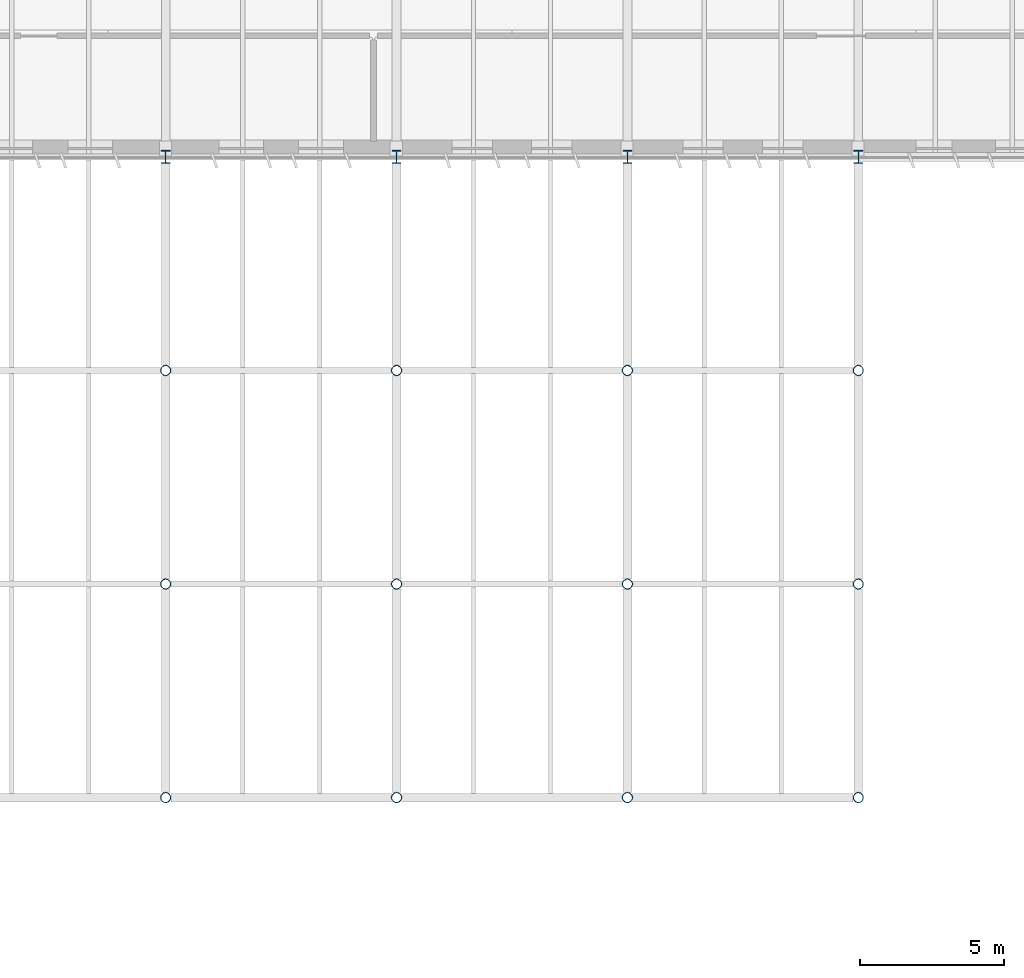
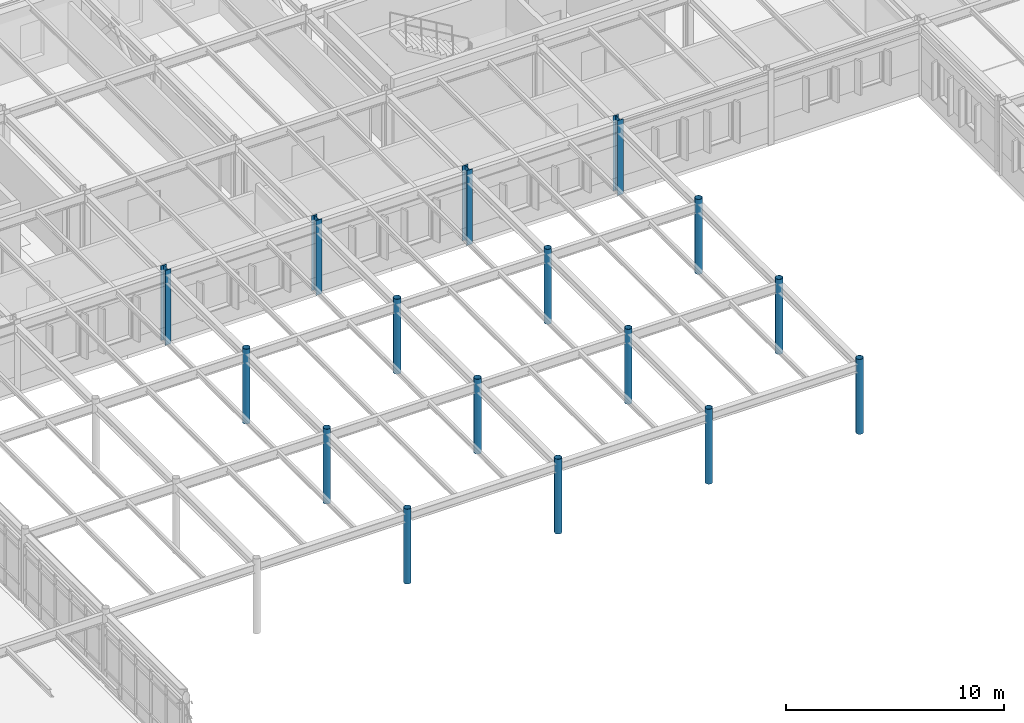
# One storey, part 5 of 63: 16 columns.
"""IFC4 building model written with IfcOpenShell, lengths in metres."""

from ifc_helpers import new_model, si_unit, direction, frame, origin, origin_2d, place, context, subcontext, project, spatial, hollow_circle, i_section, extrude, material, material_profile, profile_set, type_object, element, save


model = new_model("IFC4")

# Units and contexts
model_context = context("Model", 3, precision=1e-05, world=origin(), true_north=direction((0.0, 1.0)))
body_context = subcontext(model_context, "Body", "Model", "MODEL_VIEW")
ifc_project = project(units=[si_unit("LENGTHUNIT", "METRE"), si_unit("AREAUNIT", "SQUARE_METRE"), si_unit("VOLUMEUNIT", "CUBIC_METRE"), si_unit("PLANEANGLEUNIT", "RADIAN"), si_unit("MASSUNIT", "GRAM", prefix="KILO")], contexts=[model_context])

# Site, building, storey
site_placement = place(None, origin())
site = spatial("IfcSite", under=ifc_project, at=site_placement, CompositionType="ELEMENT")
building_placement = place(site_placement, origin())
building = spatial("IfcBuilding", under=site, at=building_placement, Name="Valkorina Park Police Headquarters", CompositionType="ELEMENT")
storey_placement = place(building_placement, frame((0.0, 0.0, 9.89990234375)))
storey = spatial("IfcBuildingStorey", under=building, at=storey_placement, Name="L03", CompositionType="ELEMENT", Elevation=9.89990234375)

# Columns
ifc_material = material(Name="Steel S355", Category="steel")
ifc_material_profile_1 = material_profile(ifc_material, hollow_circle(Radius=0.177734375, WallThickness=0.01611328125, at=origin_2d()), Name="CHS 355.6x16")
ifc_profile_set_1 = profile_set([ifc_material_profile_1], Name="Steel S355")
column_type_1 = type_object("IfcColumnType", Name="COL-S355-CHS355-EXT", PredefinedType="COLUMN", material=ifc_profile_set_1)
for number, where, z_axis, x_axis, name in (
    (1, (96.800048828125, 37.0, 0.0), (0.0, 0.0, 1.0), (1.0, 0.0, 0.0), "L03 Column 0788"),
    (2, (96.800048828125, 44.39990234375, 0.0), (0.0, 0.0, 1.0), (1.0, 0.0, 0.0), "L03 Column 0789"),
    (3, (96.800048828125, 51.800048828125, 0.0), (0.0, 0.0, 1.0), (1.0, 0.0, 0.0), "L03 Column 0790"),
    (4, (104.800048828125, 37.0, 0.0), (0.0, 0.0, 1.0), (1.0, 0.0, 0.0), "L03 Column 0795"),
    (5, (104.800048828125, 44.39990234375, 0.0), (0.0, 0.0, 1.0), (1.0, 0.0, 0.0), "L03 Column 0796"),
    (6, (104.800048828125, 51.800048828125, 0.0), (0.0, 0.0, 1.0), (1.0, 0.0, 0.0), "L03 Column 0797"),
    (7, (112.800048828125, 37.0, 0.0), (0.0, 0.0, 1.0), (1.0, 0.0, 0.0), "L03 Column 0802"),
    (8, (112.800048828125, 44.39990234375, 0.0), (0.0, 0.0, 1.0), (1.0, 0.0, 0.0), "L03 Column 0803"),
    (9, (112.800048828125, 51.800048828125, 0.0), (0.0, 0.0, 1.0), (1.0, 0.0, 0.0), "L03 Column 0804"),
    (10, (120.800048828125, 37.0, 0.0), (0.0, 0.0, 1.0), (1.0, 0.0, 0.0), "L03 Column 0809"),
    (11, (120.800048828125, 44.39990234375, 0.0), (0.0, 0.0, 1.0), (1.0, 0.0, 0.0), "L03 Column 0810"),
    (12, (120.800048828125, 51.800048828125, 0.0), (0.0, 0.0, 1.0), (1.0, 0.0, 0.0), "L03 Column 0811"),
):
    element("IfcColumn", number, at=place(storey_placement, frame(where, z_axis=z_axis, x_axis=x_axis)), inside=storey, type_object=column_type_1, Name=name, PredefinedType="COLUMN", context=body_context, shape_type="SweptSolid", body=[
        extrude(hollow_circle(Radius=0.177734375, WallThickness=0.01611328125, at=origin_2d()), origin(), (0.0, 0.0, 1.0), 4.2001953125),
    ])
ifc_material_profile_2 = material_profile(ifc_material, i_section(OverallWidth=0.300048828125, OverallDepth=0.449951171875, WebThickness=0.013916015625, FlangeThickness=0.02587890625, FilletRadius=0.027099609375, at=origin_2d()), Name="HEB 450")
ifc_profile_set_2 = profile_set([ifc_material_profile_2], Name="Steel S355")
column_type_2 = type_object("IfcColumnType", Name="COL-S355-HEB450-EXT", PredefinedType="COLUMN", material=ifc_profile_set_2)
for number, where, z_axis, x_axis, name in (
    (13, (96.800048828125, 59.199951171875, 0.0), (0.0, 0.0, 1.0), (1.0, 0.0, 0.0), "L03 Column 0791"),
    (14, (104.800048828125, 59.199951171875, 0.0), (0.0, 0.0, 1.0), (1.0, 0.0, 0.0), "L03 Column 0798"),
    (15, (112.800048828125, 59.199951171875, 0.0), (0.0, 0.0, 1.0), (1.0, 0.0, 0.0), "L03 Column 0805"),
    (16, (120.800048828125, 59.199951171875, 0.0), (0.0, 0.0, 1.0), (1.0, 0.0, 0.0), "L03 Column 0812"),
):
    element("IfcColumn", number, at=place(storey_placement, frame(where, z_axis=z_axis, x_axis=x_axis)), inside=storey, type_object=column_type_2, Name=name, PredefinedType="COLUMN", context=body_context, shape_type="SweptSolid", body=[
        extrude(i_section(OverallWidth=0.300048828125, OverallDepth=0.449951171875, WebThickness=0.013916015625, FlangeThickness=0.02587890625, FilletRadius=0.027099609375, at=origin_2d()), origin(), (0.0, 0.0, 1.0), 4.2001953125),
    ])

save(model, "model.ifc")
